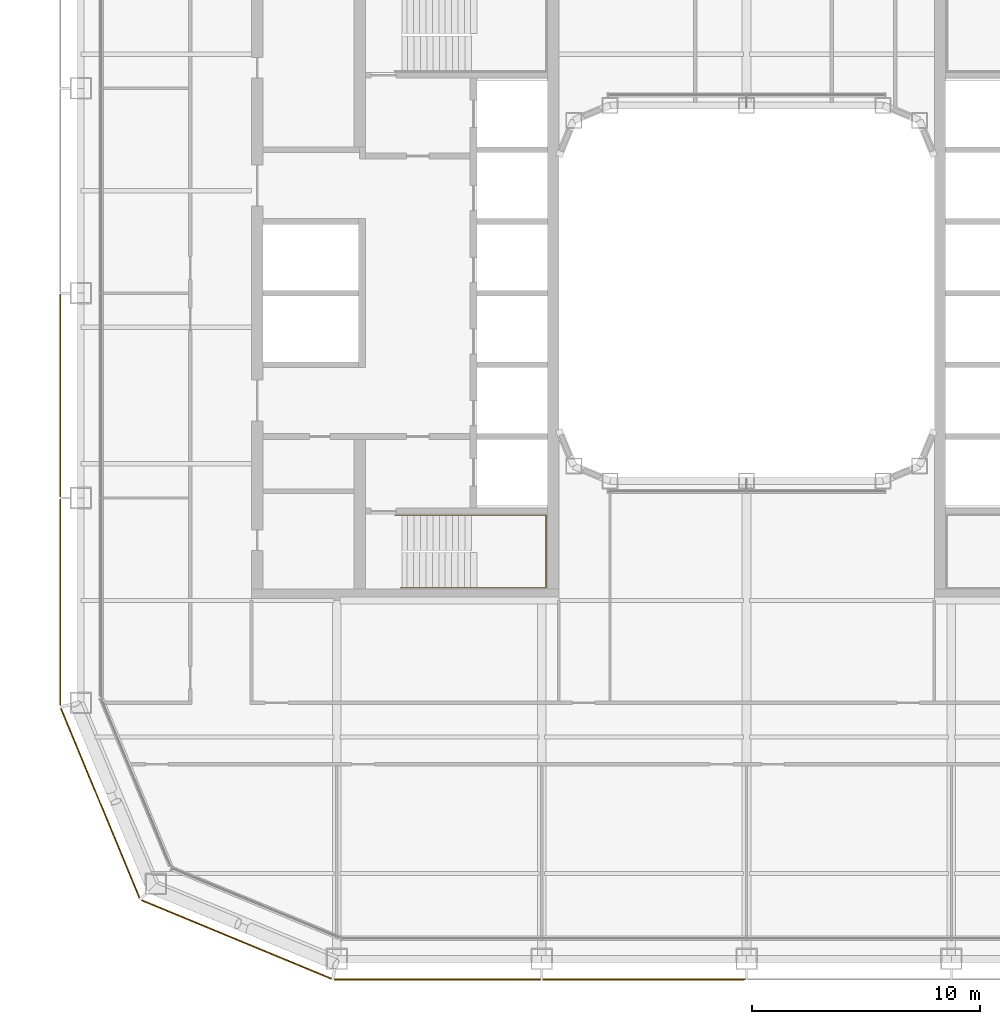
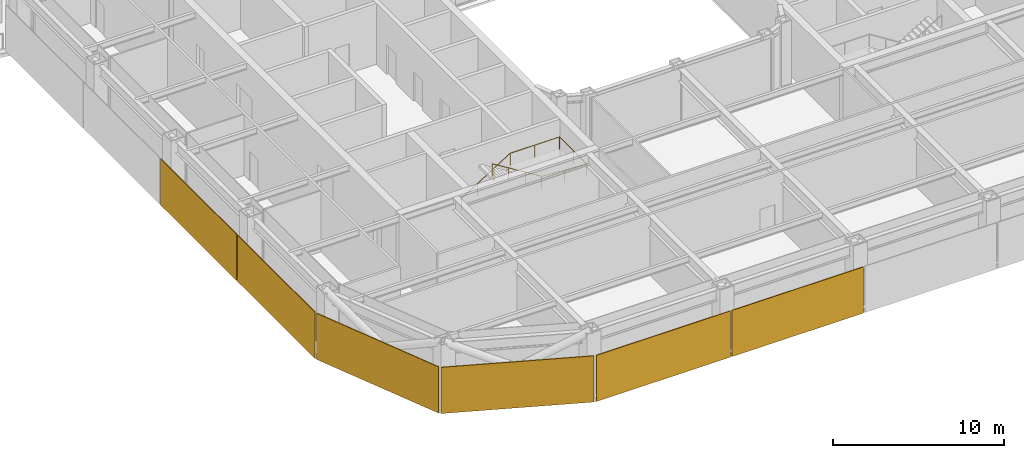
# One storey, part 18 of 23: 6 coverings, 1 railing.
"""IFC4 building model written with IfcOpenShell, lengths in metres."""

import ifcopenshell
import ifcopenshell.guid

model = None  # the IFC model being written
_history = None  # IfcOwnerHistory: only IFC2X3 demands one
_inside = {}  # id of a spatial element -> (the spatial element, [elements in it])
_under = {}  # id of a project, library or spatial element -> (it, [spatial elements below it])
_declared = {}  # id of a project -> (the project, [libraries it declares])
_typed = {}  # id of a type object -> (the type object, [elements of that type])
_made_of = {}  # id of a material, layer set ... -> (it, [elements and type objects made of it])


def new_model(schema):
    """Start an empty IFC model of exactly this schema.

    Asked for "IFC4X3", IfcOpenShell would pick the latest addendum, in which some entities
    have other attributes; the version numbers below select the first issue.
    IFC2X3 requires an IfcOwnerHistory on every rooted entity: one is made here for all.
    """
    global model, _history
    if schema == "IFC4X3":
        model = ifcopenshell.file(schema_version=(4, 3, 0, 0))
    else:
        model = ifcopenshell.file(schema=schema)
    _inside.clear()
    _under.clear()
    _declared.clear()
    _typed.clear()
    _made_of.clear()
    _history = None
    if model.schema == "IFC2X3":
        org = make("IfcOrganization", Name="unknown")
        user = make(
            "IfcPersonAndOrganization",
            ThePerson=make("IfcPerson", FamilyName="unknown"),
            TheOrganization=org,
        )
        app = make(
            "IfcApplication",
            ApplicationDeveloper=org,
            Version="unknown",
            ApplicationFullName="unknown",
            ApplicationIdentifier="unknown",
        )
        _history = make(
            "IfcOwnerHistory",
            OwningUser=user,
            OwningApplication=app,
            ChangeAction="ADDED",
            CreationDate=0,
        )
    return model


def make(cls, **values):
    """One entity of the class cls with the attributes given. An attribute that is None is left unset."""
    return model.create_entity(
        cls, **{name: value for name, value in values.items() if value is not None}
    )


def rooted(cls, **values):
    """An entity with a GlobalId (a new one), such as an element, a storey or a relation."""
    return make(cls, GlobalId=ifcopenshell.guid.new(), OwnerHistory=_history, **values)


def si_unit(unit_type, name, prefix=None):
    """IfcSIUnit, for example si_unit("LENGTHUNIT", "METRE", prefix="MILLI")."""
    return make("IfcSIUnit", UnitType=unit_type, Prefix=prefix, Name=name)


def assignment(units):
    """IfcUnitAssignment: the units of a project."""
    return None if units is None else make("IfcUnitAssignment", Units=units)


def point(xyz):
    """IfcCartesianPoint."""
    return None if xyz is None else make("IfcCartesianPoint", Coordinates=xyz)


def direction(xyz):
    """IfcDirection."""
    return None if xyz is None else make("IfcDirection", DirectionRatios=xyz)


def frame(location, z_axis=None, x_axis=None):
    """IfcAxis2Placement3D, a coordinate frame: its origin and axes. An axis left out is left unset."""
    return make(
        "IfcAxis2Placement3D",
        Location=point(location),
        Axis=direction(z_axis),
        RefDirection=direction(x_axis),
    )


def frame_2d(location, x_axis=None):
    """IfcAxis2Placement2D, a coordinate frame in the plane: its origin and x axis."""
    return make(
        "IfcAxis2Placement2D", Location=point(location), RefDirection=direction(x_axis)
    )


def origin():
    """The frame at (0, 0, 0) with its axes left unset."""
    return frame((0.0, 0.0, 0.0))


def origin_2d():
    """The frame at (0, 0) in the plane with its x axis left unset."""
    return frame_2d((0.0, 0.0))


def place(relative_to, where):
    """IfcLocalPlacement: puts the frame where relative to a parent placement (None: the world)."""
    return make(
        "IfcLocalPlacement", PlacementRelTo=relative_to, RelativePlacement=where
    )


def context(
    kind, dimensions, precision=None, world=None, true_north=None, identifier=None
):
    """IfcGeometricRepresentationContext, for example the 3D "Model" context."""
    return make(
        "IfcGeometricRepresentationContext",
        ContextIdentifier=identifier,
        ContextType=kind,
        CoordinateSpaceDimension=dimensions,
        Precision=precision,
        WorldCoordinateSystem=world,
        TrueNorth=true_north,
    )


def subcontext(parent, identifier, kind, view, scale=None):
    """IfcGeometricRepresentationSubContext, for example "Body" below "Model"."""
    return make(
        "IfcGeometricRepresentationSubContext",
        ContextIdentifier=identifier,
        ContextType=kind,
        ParentContext=parent,
        TargetScale=scale,
        TargetView=view,
    )


def project(units=None, contexts=None):
    """IfcProject with its units and contexts."""
    return rooted(
        "IfcProject",
        Name="project",
        RepresentationContexts=contexts,
        UnitsInContext=assignment(units),
    )


def spatial(cls, under=None, at=None, **own):
    """A site, building, storey or space (cls), placed at a placement, below another one or the project."""
    s = rooted(cls, ObjectPlacement=at, **own)
    if under is not None:
        _under.setdefault(under.id(), (under, []))[1].append(s)
    return s


def profile(cls, at=None, kind="AREA", **sizes):
    """A parametric profile (cls). Its sizes go by their IFC names, for example OverallWidth=200.0."""
    return make(cls, ProfileType=kind, Position=at, **sizes)


def rectangle(**sizes):
    """IfcRectangleProfileDef."""
    return profile("IfcRectangleProfileDef", **sizes)


def circle(**sizes):
    """IfcCircleProfileDef."""
    return profile("IfcCircleProfileDef", **sizes)


def extrude(swept, where, along, depth):
    """IfcExtrudedAreaSolid: the profile swept, set in the frame where, extruded along a direction by depth."""
    return make(
        "IfcExtrudedAreaSolid",
        SweptArea=swept,
        Position=where,
        ExtrudedDirection=direction(along),
        Depth=depth,
    )


def shape(context_of_items, identifier, shape_type, items):
    """IfcShapeRepresentation: the items that make up one representation, for example the "Body"."""
    return make(
        "IfcShapeRepresentation",
        ContextOfItems=context_of_items,
        RepresentationIdentifier=identifier,
        RepresentationType=shape_type,
        Items=items,
    )


def material(Name=None, Category=None):
    """IfcMaterial."""
    return make("IfcMaterial", Name=Name, Category=Category)


def layer(
    of_material, thickness, ventilated=None, Name=None, Category=None, Priority=None
):
    """IfcMaterialLayer: one layer of a wall or slab, of a material (None: an air gap)."""
    return make(
        "IfcMaterialLayer",
        Material=of_material,
        LayerThickness=thickness,
        IsVentilated=ventilated,
        Name=Name,
        Category=Category,
        Priority=Priority,
    )


def layer_set(layers, Name=None):
    """IfcMaterialLayerSet."""
    return make("IfcMaterialLayerSet", MaterialLayers=layers, LayerSetName=Name)


def made_of(thing, what):
    """Note that an element or type object is made of a material, layer set ...; save() writes the relation."""
    if what is not None:
        _made_of.setdefault(what.id(), (what, []))[1].append(thing)
    return thing


def type_object(cls, material=None, **own):
    """A type object (cls), such as IfcWallType, which elements share."""
    return made_of(rooted(cls, **own), material)


def element(
    cls,
    number,
    at=None,
    inside=None,
    cuts=None,
    type_object=None,
    material=None,
    context=None,
    identifier="Body",
    shape_type=None,
    held_by="IfcProductDefinitionShape",
    body=None,
    shapes=None,
    **own,
):
    """One element of the class cls, such as IfcWall. Its Tag is "e" and its number.

    at: its placement. inside: the storey or other place that contains it. cuts: it is an
    opening in that element (IfcRelVoidsElement). A single representation is given by context,
    identifier, shape_type and body (its items); several are given by shapes. held_by: the class
    of the entity that holds the representations. save() writes the other relations.
    """
    e = rooted(cls, Tag="e%d" % number, ObjectPlacement=at, **own)
    if body is not None:
        shapes = [shape(context, identifier, shape_type, body)]
    if shapes is not None:
        e.Representation = make(held_by, Representations=shapes)
    if inside is not None:
        _inside.setdefault(inside.id(), (inside, []))[1].append(e)
    if cuts is not None:
        rooted(
            "IfcRelVoidsElement", RelatingBuildingElement=cuts, RelatedOpeningElement=e
        )
    if type_object is not None:
        _typed.setdefault(type_object.id(), (type_object, []))[1].append(e)
    return made_of(e, material)


def aggregate(whole, parts):
    """IfcRelAggregates: a whole, such as a stair, and the parts it consists of."""
    return rooted("IfcRelAggregates", RelatingObject=whole, RelatedObjects=parts)


def save(model, path):
    """Write the relations noted so far, then the file.

    IfcRelAggregates (storeys below a building ...), IfcRelContainedInSpatialStructure (elements
    in a storey), IfcRelDefinesByType, IfcRelAssociatesMaterial and IfcRelDeclares: one each for
    every whole, place, type object, material and project.
    """
    for whole, parts in _under.values():
        aggregate(whole, parts)
    for where, things in _inside.values():
        rooted(
            "IfcRelContainedInSpatialStructure",
            RelatedElements=things,
            RelatingStructure=where,
        )
    for kind, things in _typed.values():
        rooted("IfcRelDefinesByType", RelatedObjects=things, RelatingType=kind)
    for what, things in _made_of.values():
        rooted("IfcRelAssociatesMaterial", RelatedObjects=things, RelatingMaterial=what)
    for by, libraries in _declared.values():
        rooted("IfcRelDeclares", RelatingContext=by, RelatedDefinitions=libraries)
    model.write(path)


model = new_model("IFC4")

# Units and contexts
model_context = context("Model", 3, precision=1e-05, world=origin(), true_north=direction((0.0, 1.0)))
body_context = subcontext(model_context, "Body", "Model", "MODEL_VIEW")
ifc_project = project(units=[si_unit("LENGTHUNIT", "METRE"), si_unit("AREAUNIT", "SQUARE_METRE"), si_unit("VOLUMEUNIT", "CUBIC_METRE"), si_unit("PLANEANGLEUNIT", "RADIAN"), si_unit("MASSUNIT", "GRAM", prefix="KILO")], contexts=[model_context])

# Site, building, storey
site_placement = place(None, origin())
site = spatial("IfcSite", under=ifc_project, at=site_placement, CompositionType="ELEMENT")
building_placement = place(site_placement, origin())
building = spatial("IfcBuilding", under=site, at=building_placement, Name="Siwar Civic Tower", CompositionType="ELEMENT")
storey_placement = place(building_placement, frame((0.0, 0.0, 118.199951171875)))
storey = spatial("IfcBuildingStorey", under=building, at=storey_placement, Name="L25", CompositionType="ELEMENT", Elevation=118.199951171875)

# Railing
ifc_material_1 = material(Name="Stainless steel", Category="steel")
railing_type = type_object("IfcRailingType", Name="CORE-STAIR-HANDRAIL", PredefinedType="HANDRAIL", material=ifc_material_1)
railing_placement = place(storey_placement, frame((-15.449951171875, -9.758056640625, 0.173095703125)))
element("IfcRailing", 1, at=railing_placement, inside=storey, type_object=railing_type, Name="Stair handrail ST2", PredefinedType="HANDRAIL", context=body_context, shape_type="SweptSolid", body=[
    extrude(circle(Radius=0.02001953125, at=origin_2d()), frame((0.0, 0.0, 0.8798828125), z_axis=(0.847063342986, 0.0, 0.531491950051), x_axis=(0.0, 1.0, 0.0)), (0.0, 0.0, 1.0), 3.90771484375),
    extrude(circle(Radius=0.02001953125, at=origin_2d()), frame((3.31005859375, 0.0, 2.956787109375), z_axis=(1.0, 0.0, 0.0), x_axis=(0.0, 1.0, 0.0)), (0.0, 0.0, 1.0), 3.331787109375),
    extrude(circle(Radius=0.02001953125, at=origin_2d()), frame((6.641845703125, 0.0, 2.956787109375), z_axis=(0.0, -1.0, 0.0), x_axis=(1.0, 0.0, 0.0)), (0.0, 0.0, 1.0), 3.183837890625),
    extrude(circle(Radius=0.02001953125, at=origin_2d()), frame((6.641845703125, -3.183837890625, 2.956787109375), z_axis=(-0.99837434197, 0.0, 0.056997134106), x_axis=(0.0, -1.0, 0.0)), (0.0, 0.0, 1.0), 3.036865234375),
    extrude(circle(Radius=0.02001953125, at=origin_2d()), frame((3.60986328125, -3.183837890625, 3.1298828125), z_axis=(-0.850606129759, 0.0, 0.525803396734), x_axis=(0.0, -1.0, 0.0)), (0.0, 0.0, 1.0), 3.949951171875),
    extrude(circle(Radius=0.02001953125, at=origin_2d()), origin(), (0.0, 0.0, 1.0), 0.85986328125),
    extrude(circle(Radius=0.02001953125, at=origin_2d()), frame((1.103271484375, 0.0, 0.6923828125)), (0.0, 0.0, 1.0), 0.85986328125),
    extrude(circle(Radius=0.02001953125, at=origin_2d()), frame((2.206787109375, 0.0, 1.384521484375)), (0.0, 0.0, 1.0), 0.85986328125),
    extrude(circle(Radius=0.02001953125, at=origin_2d()), frame((3.31005859375, 0.0, 2.076904296875)), (0.0, 0.0, 1.0), 0.85986328125),
    extrude(circle(Radius=0.02001953125, at=origin_2d()), frame((4.97607421875, 0.0, 2.076904296875)), (0.0, 0.0, 1.0), 0.85986328125),
    extrude(circle(Radius=0.02001953125, at=origin_2d()), frame((6.641845703125, 0.0, 2.076904296875)), (0.0, 0.0, 1.0), 0.85986328125),
    extrude(circle(Radius=0.02001953125, at=origin_2d()), frame((6.641845703125, -1.591796875, 2.076904296875)), (0.0, 0.0, 1.0), 0.85986328125),
    extrude(circle(Radius=0.02001953125, at=origin_2d()), frame((6.641845703125, -3.183837890625, 2.076904296875)), (0.0, 0.0, 1.0), 0.85986328125),
    extrude(circle(Radius=0.02001953125, at=origin_2d()), frame((5.1259765625, -3.183837890625, 2.16357421875)), (0.0, 0.0, 1.0), 0.85986328125),
    extrude(circle(Radius=0.02001953125, at=origin_2d()), frame((3.60986328125, -3.183837890625, 2.25)), (0.0, 0.0, 1.0), 0.85986328125),
    extrude(circle(Radius=0.02001953125, at=origin_2d()), frame((2.489990234375, -3.183837890625, 2.9423828125)), (0.0, 0.0, 1.0), 0.85986328125),
    extrude(circle(Radius=0.02001953125, at=origin_2d()), frame((1.369873046875, -3.183837890625, 3.634521484375)), (0.0, 0.0, 1.0), 0.85986328125),
    extrude(circle(Radius=0.02001953125, at=origin_2d()), frame((0.25, -3.183837890625, 4.326904296875)), (0.0, 0.0, 1.0), 0.85986328125),
])

# Coverings
ifc_material_2 = material(Name="Perforated aluminium cassette, pale metal", Category="aluminium")
ifc_layer_1 = layer(ifc_material_2, 0.050048828125)
ifc_layer_set_1 = layer_set([ifc_layer_1], Name="Perforated aluminium cassette, pale metal")
covering_type_1 = type_object("IfcCoveringType", Name="ENV-OUTER SKIN OS-3", PredefinedType="CLADDING", material=ifc_layer_set_1)
covering_1_placement = place(storey_placement, frame((-30.14990234375, -4.5, -0.14990234375), z_axis=(0.0, 0.0, 1.0), x_axis=(0.0, -1.0, 0.0)))
element("IfcCovering", 2, at=covering_1_placement, inside=storey, type_object=covering_type_1, Name="OUTER SKIN OS-3 W 3", PredefinedType="CLADDING", context=body_context, shape_type="SweptSolid", body=[
    extrude(rectangle(XDim=8.89990234375, YDim=0.050048828125, at=origin_2d()), origin(), (0.0, 0.0, 1.0), 3.300048828125),
])
covering_2_placement = place(storey_placement, frame((-30.14990234375, -13.57958984375, -0.14990234375), z_axis=(0.0, 0.0, 1.0), x_axis=(0.0, -1.0, 0.0)))
element("IfcCovering", 3, at=covering_2_placement, inside=storey, type_object=covering_type_1, Name="OUTER SKIN OS-3 W 4", PredefinedType="CLADDING", context=body_context, shape_type="SweptSolid", body=[
    extrude(rectangle(XDim=9.05908203125, YDim=0.050048828125, at=origin_2d()), origin(), (0.0, 0.0, 1.0), 3.300048828125),
])
ifc_material_3 = material(Name="Perforated aluminium cassette, pale metal", Category="aluminium")
ifc_layer_2 = layer(ifc_material_3, 0.054931640625)
ifc_layer_set_2 = layer_set([ifc_layer_2], Name="Perforated aluminium cassette, pale metal")
covering_type_2 = type_object("IfcCoveringType", Name="ENV-OUTER SKIN OS-4", PredefinedType="CLADDING", material=ifc_layer_set_2)
covering_3_placement = place(storey_placement, frame((-13.57958984375, -30.14990234375, -0.14990234375), z_axis=(0.0, 0.0, 1.0), x_axis=(1.0, 0.0, 0.0)))
element("IfcCovering", 4, at=covering_3_placement, inside=storey, type_object=covering_type_2, Name="OUTER SKIN OS-4 S 1", PredefinedType="CLADDING", context=body_context, shape_type="SweptSolid", body=[
    extrude(rectangle(XDim=9.05908203125, YDim=0.054931640625, at=origin_2d()), origin(), (0.0, 0.0, 1.0), 3.300048828125),
])
covering_4_placement = place(storey_placement, frame((-4.5, -30.14990234375, -0.14990234375), z_axis=(0.0, 0.0, 1.0), x_axis=(1.0, 0.0, 0.0)))
element("IfcCovering", 5, at=covering_4_placement, inside=storey, type_object=covering_type_2, Name="OUTER SKIN OS-4 S 2", PredefinedType="CLADDING", context=body_context, shape_type="SweptSolid", body=[
    extrude(rectangle(XDim=8.89990234375, YDim=0.054931640625, at=origin_2d()), origin(), (0.0, 0.0, 1.0), 3.300048828125),
])
for number, where, z_axis, x_axis, name in (
    (6, (-28.39697265625, -22.411376953125, -0.14990234375), (0.0, 0.0, 1.0), (0.382683432365, -0.923879532511, 0.0), "OUTER SKIN OS-4 SW1 1"),
    (7, (-22.411376953125, -28.39697265625, -0.14990234375), (0.0, 0.0, 1.0), (0.923879532511, -0.382683432365, 0.0), "OUTER SKIN OS-4 SW2 1"),
):
    element("IfcCovering", number, at=place(storey_placement, frame(where, z_axis=z_axis, x_axis=x_axis)), inside=storey, type_object=covering_type_2, Name=name, PredefinedType="CLADDING", context=body_context, shape_type="SweptSolid", body=[
        extrude(rectangle(XDim=9.022216796875, YDim=0.054931640625, at=origin_2d()), origin(), (0.0, 0.0, 1.0), 3.300048828125),
    ])

save(model, "model.ifc")
